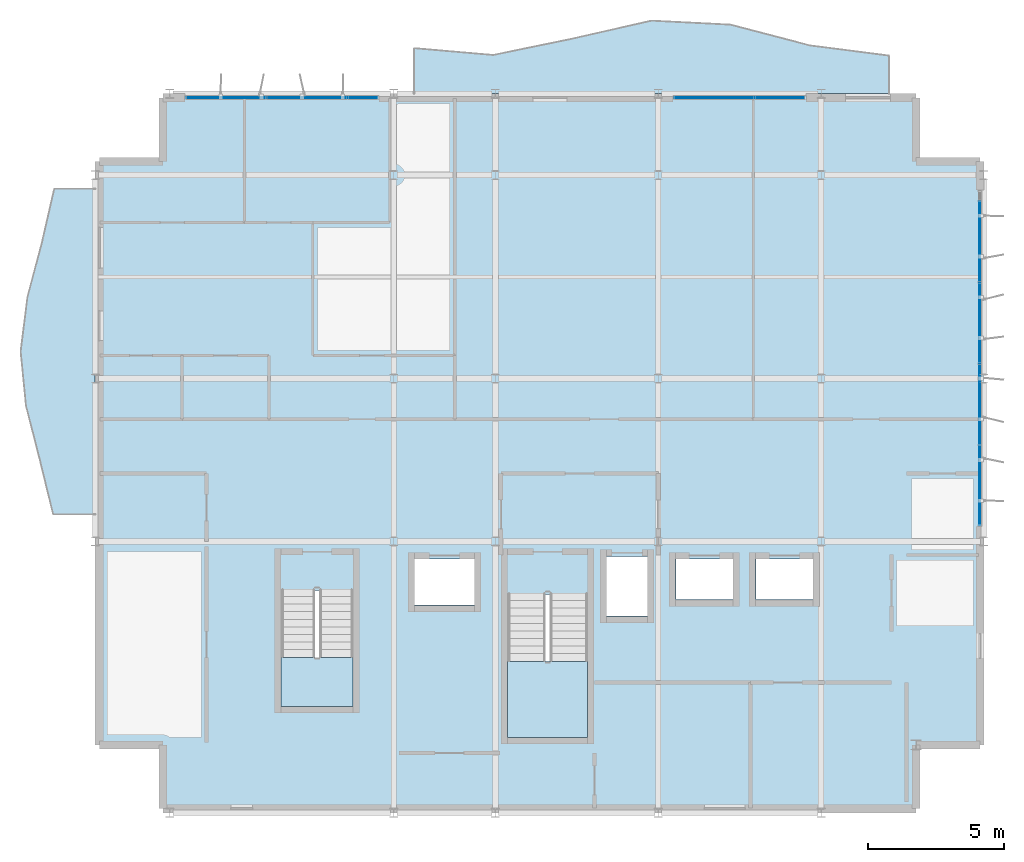
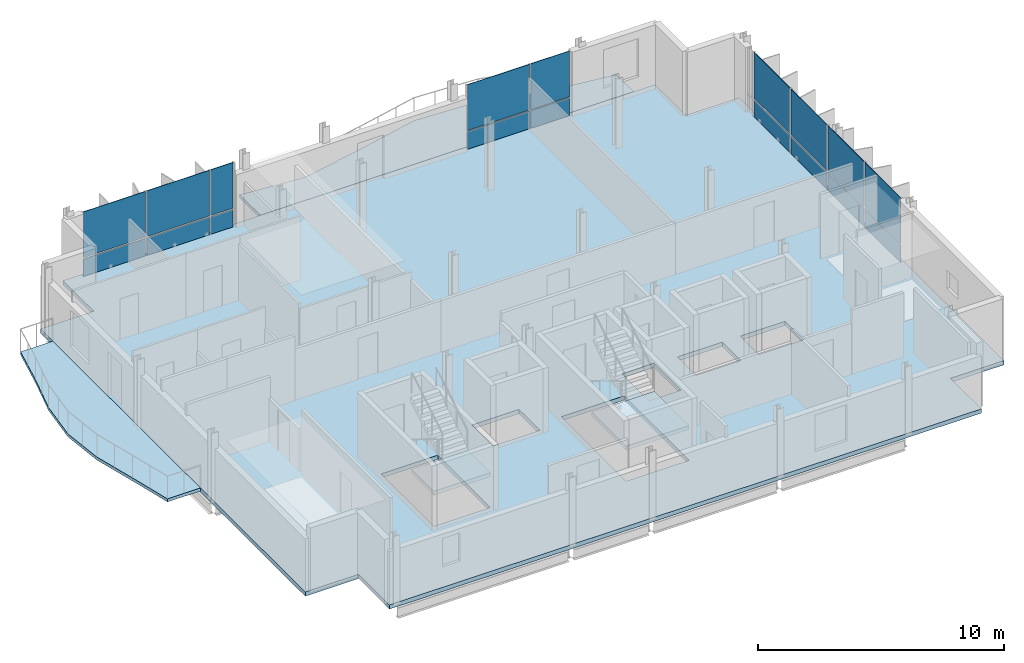
# One storey, part 6 of 12: 18 plates, 5 slabs, 5 elements without a shape of their own.
"""IFC4 building model written with IfcOpenShell, lengths in metres."""

from ifc_helpers import new_model, si_unit, direction, frame, origin, origin_2d, place, context, subcontext, project, spatial, polyline, rectangle, outline, extrude, material, layer, layer_set, type_object, element, aggregate, save


model = new_model("IFC4")

# Units and contexts
model_context = context("Model", 3, precision=1e-05, world=origin(), true_north=direction((0.0, 1.0)))
body_context = subcontext(model_context, "Body", "Model", "MODEL_VIEW")
ifc_project = project(units=[si_unit("LENGTHUNIT", "METRE"), si_unit("AREAUNIT", "SQUARE_METRE"), si_unit("VOLUMEUNIT", "CUBIC_METRE"), si_unit("PLANEANGLEUNIT", "RADIAN"), si_unit("MASSUNIT", "GRAM", prefix="KILO")], contexts=[model_context])

# Site, building, storey
site_placement = place(None, origin())
site = spatial("IfcSite", under=ifc_project, at=site_placement, CompositionType="ELEMENT")
building_placement = place(site_placement, origin())
building = spatial("IfcBuilding", under=site, at=building_placement, Name="Brevholm Reach", CompositionType="ELEMENT")
storey_placement = place(building_placement, frame((0.0, 0.0, 236.60009765625)))
storey = spatial("IfcBuildingStorey", under=building, at=storey_placement, Name="L72", CompositionType="ELEMENT", Elevation=236.60009765625)

# Curtain wall, plates
ifc_material_1 = material(Name="Dark Anodised Aluminium 6063-T6 and Solar-Control Glass", Category="aluminium")
ifc_layer_1 = layer(ifc_material_1, 0.14990234375)
ifc_layer_set_1 = layer_set([ifc_layer_1], Name="Dark Anodised Aluminium 6063-T6 and Solar-Control Glass")
curtain_wall_type = type_object("IfcCurtainWallType", Name="CW-01", PredefinedType="NOTDEFINED", material=ifc_layer_set_1)
curtain_wall_1_placement = place(storey_placement, origin())
curtain_wall_1 = element("IfcCurtainWall", 1, at=curtain_wall_1_placement, inside=storey, type_object=curtain_wall_type, Name="L72 Curtain Wall CW-01", PredefinedType="NOTDEFINED")
ifc_material_2 = material(Name="Dark Solar-Control Double-Glazed IGU Glass", Category="glass")
ifc_layer_2 = layer(ifc_material_2, 0.028076171875)
ifc_layer_set_2 = layer_set([ifc_layer_2], Name="Dark Solar-Control Double-Glazed IGU Glass")
plate_type = type_object("IfcPlateType", Name="CWP-GLZ-28", PredefinedType="CURTAIN_PANEL", material=ifc_layer_set_2)
plate_1_placement = place(storey_placement, frame((59.85009765625, 12.066162109375, 0.0), z_axis=(0.0, 0.0, 1.0), x_axis=(0.0, 1.0, 0.0)))
plate_1 = element("IfcPlate", 2, at=plate_1_placement, type_object=plate_type, Name="CP-01 Glazing Panel 1.1", PredefinedType="CURTAIN_PANEL", context=body_context, shape_type="SweptSolid", body=[
    extrude(rectangle(XDim=2.902587890625, YDim=0.028076171875, at=origin_2d()), origin(), (0.0, 0.0, 1.0), 0.867431640625),
])
plate_2_placement = place(storey_placement, frame((59.85009765625, 12.066162109375, 0.932373046875), z_axis=(0.0, 0.0, 1.0), x_axis=(0.0, 1.0, 0.0)))
plate_2 = element("IfcPlate", 3, at=plate_2_placement, type_object=plate_type, Name="CP-01 Glazing Panel 1.2", PredefinedType="CURTAIN_PANEL", context=body_context, shape_type="SweptSolid", body=[
    extrude(rectangle(XDim=2.902587890625, YDim=0.028076171875, at=origin_2d()), origin(), (0.0, 0.0, 1.0), 2.267578125),
])
plate_3_placement = place(storey_placement, frame((59.85009765625, 15.050048828125, 0.0), z_axis=(0.0, 0.0, 1.0), x_axis=(0.0, 1.0, 0.0)))
plate_3 = element("IfcPlate", 4, at=plate_3_placement, type_object=plate_type, Name="CP-01 Glazing Panel 2.1", PredefinedType="CURTAIN_PANEL", context=body_context, shape_type="SweptSolid", body=[
    extrude(rectangle(XDim=2.93505859375, YDim=0.028076171875, at=origin_2d()), origin(), (0.0, 0.0, 1.0), 0.867431640625),
])
plate_4_placement = place(storey_placement, frame((59.85009765625, 15.050048828125, 0.932373046875), z_axis=(0.0, 0.0, 1.0), x_axis=(0.0, 1.0, 0.0)))
plate_4 = element("IfcPlate", 5, at=plate_4_placement, type_object=plate_type, Name="CP-01 Glazing Panel 2.2", PredefinedType="CURTAIN_PANEL", context=body_context, shape_type="SweptSolid", body=[
    extrude(rectangle(XDim=2.93505859375, YDim=0.028076171875, at=origin_2d()), origin(), (0.0, 0.0, 1.0), 2.267578125),
])
plate_5_placement = place(storey_placement, frame((59.85009765625, 18.050048828125, 0.0), z_axis=(0.0, 0.0, 1.0), x_axis=(0.0, 1.0, 0.0)))
plate_5 = element("IfcPlate", 6, at=plate_5_placement, type_object=plate_type, Name="CP-01 Glazing Panel 3.1", PredefinedType="CURTAIN_PANEL", context=body_context, shape_type="SweptSolid", body=[
    extrude(rectangle(XDim=2.93505859375, YDim=0.028076171875, at=origin_2d()), origin(), (0.0, 0.0, 1.0), 0.867431640625),
])
plate_6_placement = place(storey_placement, frame((59.85009765625, 18.050048828125, 0.932373046875), z_axis=(0.0, 0.0, 1.0), x_axis=(0.0, 1.0, 0.0)))
plate_6 = element("IfcPlate", 7, at=plate_6_placement, type_object=plate_type, Name="CP-01 Glazing Panel 3.2", PredefinedType="CURTAIN_PANEL", context=body_context, shape_type="SweptSolid", body=[
    extrude(rectangle(XDim=2.93505859375, YDim=0.028076171875, at=origin_2d()), origin(), (0.0, 0.0, 1.0), 2.267578125),
])
plate_7_placement = place(storey_placement, frame((59.85009765625, 21.050048828125, 0.0), z_axis=(0.0, 0.0, 1.0), x_axis=(0.0, 1.0, 0.0)))
plate_7 = element("IfcPlate", 8, at=plate_7_placement, type_object=plate_type, Name="CP-01 Glazing Panel 4.1", PredefinedType="CURTAIN_PANEL", context=body_context, shape_type="SweptSolid", body=[
    extrude(rectangle(XDim=2.93505859375, YDim=0.028076171875, at=origin_2d()), origin(), (0.0, 0.0, 1.0), 0.867431640625),
])
plate_8_placement = place(storey_placement, frame((59.85009765625, 21.050048828125, 0.932373046875), z_axis=(0.0, 0.0, 1.0), x_axis=(0.0, 1.0, 0.0)))
plate_8 = element("IfcPlate", 9, at=plate_8_placement, type_object=plate_type, Name="CP-01 Glazing Panel 4.2", PredefinedType="CURTAIN_PANEL", context=body_context, shape_type="SweptSolid", body=[
    extrude(rectangle(XDim=2.93505859375, YDim=0.028076171875, at=origin_2d()), origin(), (0.0, 0.0, 1.0), 2.267578125),
])
aggregate(curtain_wall_1, [plate_1, plate_2, plate_3, plate_4, plate_5, plate_6, plate_7, plate_8])

curtain_wall_2_placement = place(storey_placement, origin())
curtain_wall_2 = element("IfcCurtainWall", 10, at=curtain_wall_2_placement, inside=storey, type_object=curtain_wall_type, Name="L72 Curtain Wall CW-01", PredefinedType="NOTDEFINED")
plate_9_placement = place(storey_placement, frame((32.066162109375, 26.35009765625, 0.0), z_axis=(0.0, 0.0, 1.0), x_axis=(1.0, 0.0, 0.0)))
plate_9 = element("IfcPlate", 11, at=plate_9_placement, type_object=plate_type, Name="CP-01 Glazing Panel 1.1", PredefinedType="CURTAIN_PANEL", context=body_context, shape_type="SweptSolid", body=[
    extrude(rectangle(XDim=2.902587890625, YDim=0.028076171875, at=origin_2d()), origin(), (0.0, 0.0, 1.0), 0.867431640625),
])
plate_10_placement = place(storey_placement, frame((32.066162109375, 26.35009765625, 0.932373046875), z_axis=(0.0, 0.0, 1.0), x_axis=(1.0, 0.0, 0.0)))
plate_10 = element("IfcPlate", 12, at=plate_10_placement, type_object=plate_type, Name="CP-01 Glazing Panel 1.2", PredefinedType="CURTAIN_PANEL", context=body_context, shape_type="SweptSolid", body=[
    extrude(rectangle(XDim=2.902587890625, YDim=0.028076171875, at=origin_2d()), origin(), (0.0, 0.0, 1.0), 2.267578125),
])
plate_11_placement = place(storey_placement, frame((35.050048828125, 26.35009765625, 0.0), z_axis=(0.0, 0.0, 1.0), x_axis=(1.0, 0.0, 0.0)))
plate_11 = element("IfcPlate", 13, at=plate_11_placement, type_object=plate_type, Name="CP-01 Glazing Panel 2.1", PredefinedType="CURTAIN_PANEL", context=body_context, shape_type="SweptSolid", body=[
    extrude(rectangle(XDim=2.93505859375, YDim=0.028076171875, at=origin_2d()), origin(), (0.0, 0.0, 1.0), 0.867431640625),
])
plate_12_placement = place(storey_placement, frame((35.050048828125, 26.35009765625, 0.932373046875), z_axis=(0.0, 0.0, 1.0), x_axis=(1.0, 0.0, 0.0)))
plate_12 = element("IfcPlate", 14, at=plate_12_placement, type_object=plate_type, Name="CP-01 Glazing Panel 2.2", PredefinedType="CURTAIN_PANEL", context=body_context, shape_type="SweptSolid", body=[
    extrude(rectangle(XDim=2.93505859375, YDim=0.028076171875, at=origin_2d()), origin(), (0.0, 0.0, 1.0), 2.267578125),
])
plate_13_placement = place(storey_placement, frame((37.108642578125, 26.35009765625, 0.0), z_axis=(0.0, 0.0, 1.0), x_axis=(1.0, 0.0, 0.0)))
plate_13 = element("IfcPlate", 15, at=plate_13_placement, type_object=plate_type, Name="CP-01 Glazing Panel 3.1", PredefinedType="CURTAIN_PANEL", context=body_context, shape_type="SweptSolid", body=[
    extrude(rectangle(XDim=1.052490234375, YDim=0.028076171875, at=origin_2d()), origin(), (0.0, 0.0, 1.0), 0.867431640625),
])
plate_14_placement = place(storey_placement, frame((37.108642578125, 26.35009765625, 0.932373046875), z_axis=(0.0, 0.0, 1.0), x_axis=(1.0, 0.0, 0.0)))
plate_14 = element("IfcPlate", 16, at=plate_14_placement, type_object=plate_type, Name="CP-01 Glazing Panel 3.2", PredefinedType="CURTAIN_PANEL", context=body_context, shape_type="SweptSolid", body=[
    extrude(rectangle(XDim=1.052490234375, YDim=0.028076171875, at=origin_2d()), origin(), (0.0, 0.0, 1.0), 2.267578125),
])
aggregate(curtain_wall_2, [plate_9, plate_10, plate_11, plate_12, plate_13, plate_14])

curtain_wall_3_placement = place(storey_placement, origin())
curtain_wall_3 = element("IfcCurtainWall", 17, at=curtain_wall_3_placement, inside=storey, type_object=curtain_wall_type, Name="L72 Curtain Wall CW-01", PredefinedType="NOTDEFINED")
plate_15_placement = place(storey_placement, frame((50.066162109375, 26.35009765625, 0.0), z_axis=(0.0, 0.0, 1.0), x_axis=(1.0, 0.0, 0.0)))
plate_15 = element("IfcPlate", 18, at=plate_15_placement, type_object=plate_type, Name="CP-01 Glazing Panel 1.1", PredefinedType="CURTAIN_PANEL", context=body_context, shape_type="SweptSolid", body=[
    extrude(rectangle(XDim=2.902587890625, YDim=0.028076171875, at=origin_2d()), origin(), (0.0, 0.0, 1.0), 0.867431640625),
])
plate_16_placement = place(storey_placement, frame((50.066162109375, 26.35009765625, 0.932373046875), z_axis=(0.0, 0.0, 1.0), x_axis=(1.0, 0.0, 0.0)))
plate_16 = element("IfcPlate", 19, at=plate_16_placement, type_object=plate_type, Name="CP-01 Glazing Panel 1.2", PredefinedType="CURTAIN_PANEL", context=body_context, shape_type="SweptSolid", body=[
    extrude(rectangle(XDim=2.902587890625, YDim=0.028076171875, at=origin_2d()), origin(), (0.0, 0.0, 1.0), 2.267578125),
])
plate_17_placement = place(storey_placement, frame((52.483642578125, 26.35009765625, 0.0), z_axis=(0.0, 0.0, 1.0), x_axis=(1.0, 0.0, 0.0)))
plate_17 = element("IfcPlate", 20, at=plate_17_placement, type_object=plate_type, Name="CP-01 Glazing Panel 2.1", PredefinedType="CURTAIN_PANEL", context=body_context, shape_type="SweptSolid", body=[
    extrude(rectangle(XDim=1.802490234375, YDim=0.028076171875, at=origin_2d()), origin(), (0.0, 0.0, 1.0), 0.867431640625),
])
plate_18_placement = place(storey_placement, frame((52.483642578125, 26.35009765625, 0.932373046875), z_axis=(0.0, 0.0, 1.0), x_axis=(1.0, 0.0, 0.0)))
plate_18 = element("IfcPlate", 21, at=plate_18_placement, type_object=plate_type, Name="CP-01 Glazing Panel 2.2", PredefinedType="CURTAIN_PANEL", context=body_context, shape_type="SweptSolid", body=[
    extrude(rectangle(XDim=1.802490234375, YDim=0.028076171875, at=origin_2d()), origin(), (0.0, 0.0, 1.0), 2.267578125),
])
aggregate(curtain_wall_3, [plate_15, plate_16, plate_17, plate_18])

# Slabs
ifc_material_3 = material(Name="Precast Concrete C45/55", Category="concrete")
ifc_layer_3 = layer(ifc_material_3, 0.14990234375)
ifc_layer_set_3 = layer_set([ifc_layer_3], Name="Precast Concrete C45/55")
slab_type_1 = type_object("IfcSlabType", Name="SLB-BAL-150", PredefinedType="FLOOR", material=ifc_layer_set_3)
slab_1_placement = place(storey_placement, frame((0.0, 0.0, -0.150146484375)))
element("IfcSlab", 22, at=slab_1_placement, inside=storey, type_object=slab_type_1, Name="L72 Rippling External Balcony NE", PredefinedType="FLOOR", context=body_context, shape_type="SweptSolid", body=[
    extrude(outline(polyline([(39.0, 26.5), (56.5, 26.5), (56.5, 27.90380859375), (53.583251953125, 28.279052734375), (50.666748046875, 29.0439453125), (47.75, 29.191650390625), (44.833251953125, 28.52783203125), (41.916748046875, 27.926025390625), (39.0, 28.17822265625), (39.0, 26.5)])), origin(), (0.0, 0.0, 1.0), 0.150146484375),
])
slab_2_placement = place(storey_placement, frame((0.0, 0.0, -0.150146484375)))
element("IfcSlab", 23, at=slab_2_placement, inside=storey, type_object=slab_type_1, Name="L72 Rippling External Balcony SLOT", PredefinedType="FLOOR", context=body_context, shape_type="SweptSolid", body=[
    extrude(outline(polyline([(27.25, 11.0), (27.25, 23.0), (25.7412109375, 23.0), (25.280517578125, 21.0), (24.750244140625, 19.0), (24.5009765625, 17.0), (24.69775390625, 15.0), (25.210205078125, 13.0), (25.69970703125, 11.0), (27.25, 11.0)])), origin(), (0.0, 0.0, 1.0), 0.150146484375),
])
ifc_material_4 = material(Name="Concrete C40/50", Category="concrete")
ifc_layer_4 = layer(ifc_material_4, 0.2099609375)
ifc_layer_set_4 = layer_set([ifc_layer_4], Name="Concrete C40/50")
slab_type_2 = type_object("IfcSlabType", Name="SLB-FL-210", PredefinedType="FLOOR", material=ifc_layer_set_4)
slab_3_placement = place(storey_placement, frame((0.0, 0.0, -0.210205078125)))
element("IfcSlab", 24, at=slab_3_placement, inside=storey, type_object=slab_type_2, Name="L72 Suspended Floor Slab (east-tower)", PredefinedType="FLOOR", context=body_context, shape_type="SweptSolid", body=[
    extrude(outline(polyline([(29.75, 0.0), (57.5, 0.0), (57.5, 2.5), (60.0, 2.5), (60.0, 24.0), (57.5, 24.0), (57.5, 26.5), (29.75, 26.5), (29.75, 24.0), (27.25, 24.0), (27.25, 2.5), (29.75, 2.5), (29.75, 0.0)]), holes=[polyline([(42.449951171875, 2.780029296875), (45.39990234375, 2.780029296875), (45.39990234375, 8.044921875), (42.449951171875, 8.044921875), (42.449951171875, 2.780029296875)]), polyline([(34.10009765625, 3.919921875), (36.75, 3.919921875), (36.75, 8.195068359375), (34.10009765625, 8.195068359375), (34.10009765625, 3.919921875)]), polyline([(46.10009765625, 7.25), (47.60009765625, 7.25), (47.60009765625, 9.449951171875), (46.10009765625, 9.449951171875), (46.10009765625, 7.25)]), polyline([(39.02001953125, 7.64990234375), (41.219970703125, 7.64990234375), (41.219970703125, 9.35009765625), (39.02001953125, 9.35009765625), (39.02001953125, 7.64990234375)]), polyline([(48.64990234375, 7.85009765625), (50.75, 7.85009765625), (50.75, 9.35009765625), (48.64990234375, 9.35009765625), (48.64990234375, 7.85009765625)]), polyline([(51.60009765625, 7.85009765625), (53.699951171875, 7.85009765625), (53.699951171875, 9.35009765625), (51.60009765625, 9.35009765625), (51.60009765625, 7.85009765625)])]), origin(), (0.0, 0.0, 1.0), 0.210205078125),
])

# Stair, slab
ifc_material_5 = material(Name="Precast Concrete C40/50", Category="concrete")
stair_type_1 = type_object("IfcStairType", Name="STR-ESC-1400", PredefinedType="DOUBLE_RETURN_STAIR", material=ifc_material_5)
stair_1_placement = place(storey_placement, origin())
stair_1 = element("IfcStair", 25, at=stair_1_placement, inside=storey, type_object=stair_type_1, Name="L72 ST-2", PredefinedType="DOUBLE_RETURN_STAIR")
ifc_material_6 = material(Name="Concrete C40/50", Category="concrete")
ifc_layer_5 = layer(ifc_material_6, 0.199951171875)
ifc_layer_set_5 = layer_set([ifc_layer_5], Name="Concrete C40/50")
slab_type_3 = type_object("IfcSlabType", Name="SLB-LND-200", PredefinedType="LANDING", material=ifc_layer_set_5)
slab_4_placement = place(storey_placement, frame((0.0, 0.0, 1.52490234375)))
slab_4 = element("IfcSlab", 26, at=slab_4_placement, type_object=slab_type_3, Name="ST-2 landing 1", PredefinedType="LANDING", context=body_context, shape_type="SweptSolid", body=[
    extrude(outline(polyline([(42.449951171875, 5.580078125), (42.449951171875, 2.780029296875), (45.39990234375, 2.780029296875), (45.39990234375, 5.580078125), (42.449951171875, 5.580078125)])), origin(), (0.0, 0.0, 1.0), 0.199951171875),
])
aggregate(stair_1, [slab_4])

ifc_material_7 = material(Name="Precast Concrete C40/50", Category="concrete")
stair_type_2 = type_object("IfcStairType", Name="STR-ESC-1250", PredefinedType="DOUBLE_RETURN_STAIR", material=ifc_material_7)
stair_2_placement = place(storey_placement, origin())
stair_2 = element("IfcStair", 27, at=stair_2_placement, inside=storey, type_object=stair_type_2, Name="L72 ST-3", PredefinedType="DOUBLE_RETURN_STAIR")
slab_5_placement = place(storey_placement, frame((0.0, 0.0, 1.52490234375)))
slab_5 = element("IfcSlab", 28, at=slab_5_placement, type_object=slab_type_3, Name="ST-3 landing 1", PredefinedType="LANDING", context=body_context, shape_type="SweptSolid", body=[
    extrude(outline(polyline([(34.10009765625, 5.72998046875), (34.10009765625, 3.919921875), (36.75, 3.919921875), (36.75, 5.72998046875), (34.10009765625, 5.72998046875)])), origin(), (0.0, 0.0, 1.0), 0.199951171875),
])
aggregate(stair_2, [slab_5])

save(model, "model.ifc")
